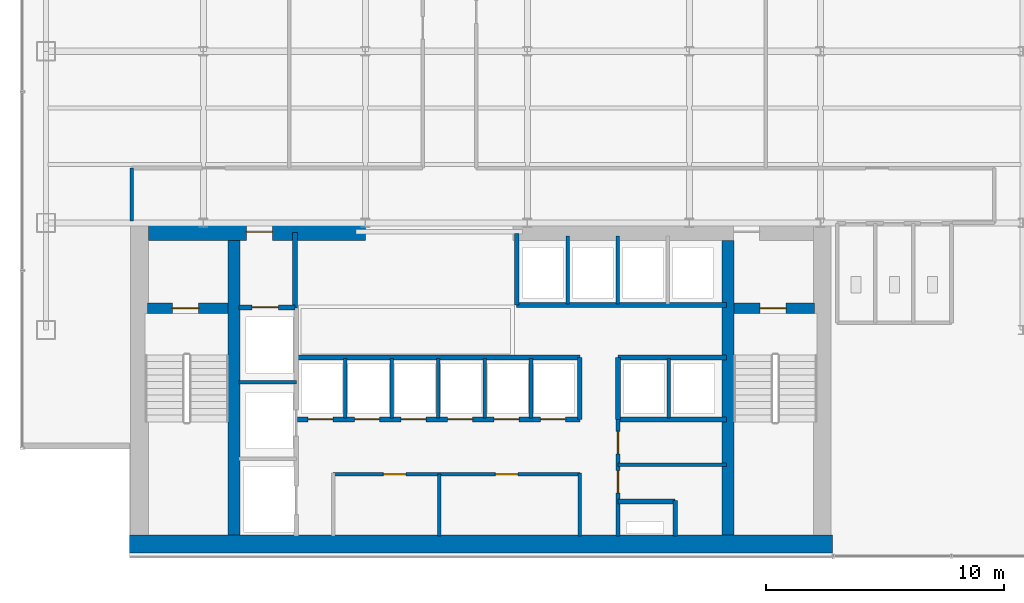
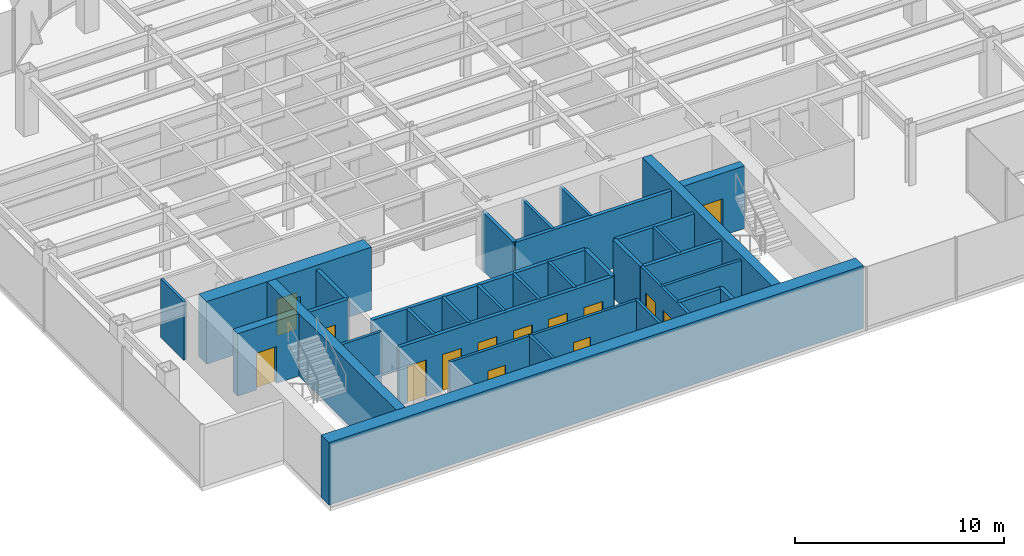
# One storey, part 21 of 26: 33 walls, 14 doors, 14 openings.
"""IFC4 building model written with IfcOpenShell, lengths in metres."""

from ifc_helpers import new_model, si_unit, derived_unit, direction, frame, frame_2d, origin, place, context, subcontext, project, spatial, rectangle, extrude, source, transform, mapped, material, layer, layer_set, type_object, element, fill, save


model = new_model("IFC4")

# Units and contexts
model_context = context("Model", 3, precision=1e-05, world=origin(), true_north=direction((0.0, 1.0)))
body_context = subcontext(model_context, "Body", "Model", "MODEL_VIEW")
ifc_project = project(units=[si_unit("LENGTHUNIT", "METRE"), si_unit("AREAUNIT", "SQUARE_METRE"), si_unit("VOLUMEUNIT", "CUBIC_METRE"), si_unit("PLANEANGLEUNIT", "RADIAN"), si_unit("MASSUNIT", "GRAM", prefix="KILO"), derived_unit("THERMALTRANSMITTANCEUNIT", [(si_unit("POWERUNIT", "WATT"), 1), (si_unit("LENGTHUNIT", "METRE"), -2), (si_unit("THERMODYNAMICTEMPERATUREUNIT", "KELVIN"), -1)])], contexts=[model_context])

# Site, building, storey
site_placement = place(None, origin())
site = spatial("IfcSite", under=ifc_project, at=site_placement, CompositionType="ELEMENT")
building_placement = place(site_placement, origin())
building = spatial("IfcBuilding", under=site, at=building_placement, Name="Skarnbrae Concourse Arena and Tower", CompositionType="ELEMENT")
storey_placement = place(building_placement, frame((0.0, 0.0, 110.550048828125)))
storey = spatial("IfcBuildingStorey", under=building, at=storey_placement, Name="L27", CompositionType="ELEMENT", Elevation=110.550048828125)

# Wall, opening, door
ifc_material_1 = material(Name="Concrete 50 MPa (C50/60)", Category="concrete")
ifc_layer_1 = layer(ifc_material_1, 0.449951171875)
ifc_layer_set_1 = layer_set([ifc_layer_1], Name="Concrete 50 MPa (C50/60)")
wall_type_1 = type_object("IfcWallType", Name="WALL-CORE-450-C50", PredefinedType="SHEAR", material=ifc_layer_set_1)
shared_shape_1 = source(origin(), body_context, "Body", "SweptSolid", [
    extrude(rectangle(XDim=3.389892578125, YDim=0.449951171875, at=frame_2d((1.69482421875, 0.0))), origin(), (0.0, 0.0, 1.0), 3.64990234375),
])
wall_1_placement = place(storey_placement, frame((5.25, 10.419921875, 0.0), z_axis=(0.0, 0.0, 1.0), x_axis=(1.0, 0.0, 0.0)))
wall_1 = element("IfcWall", 1, at=wall_1_placement, inside=storey, type_object=wall_type_1, Name="L27 Rear core shear wall CW-ST1-N", PredefinedType="SHEAR", context=body_context, shape_type="MappedRepresentation", body=[
    mapped(shared_shape_1, transform((0.0, 0.0, 0.0))),
])
opening_1_placement = place(wall_1_placement, frame((1.050048828125, 0.0, 0.0)))
opening_1 = element("IfcOpeningElement", 2, at=opening_1_placement, cuts=wall_1, Name="Opening DT-03", PredefinedType="OPENING", context=body_context, shape_type="SweptSolid", body=[
    extrude(rectangle(XDim=1.10009765625, YDim=2.14990234375, at=frame_2d((0.550048828125, 1.074951171875))), frame((0.0, 0.23486328125, 0.0), z_axis=(0.0, -1.0, 0.0), x_axis=(1.0, 0.0, 0.0)), (0.0, 0.0, 1.0), 0.469970703125),
])
ifc_material_2 = material(Name="Steel CSA G40.21 350W", Category="steel")
door_type_1 = type_object("IfcDoorType", Name="DOOR-FIRE-1100-90M", OperationType="NOTDEFINED", PredefinedType="DOOR", material=ifc_material_2)
shared_shape_2 = source(origin(), body_context, "Body", "SweptSolid", [
    extrude(rectangle(XDim=1.10009765625, YDim=2.14990234375, at=frame_2d((0.550048828125, 1.074951171875))), frame((0.0, 0.02490234375, 0.0), z_axis=(0.0, -1.0, 0.0), x_axis=(1.0, 0.0, 0.0)), (0.0, 0.0, 1.0), 0.050048828125),
])
door_1_placement = place(opening_1_placement, frame((1.10009765625, 0.0, 0.0), z_axis=(0.0, 0.0, 1.0), x_axis=(-1.0, 0.0, 0.0)))
door_1 = element("IfcDoor", 3, at=door_1_placement, inside=storey, type_object=door_type_1, Name="D-0894 Stair ST-1 Door", OperationType="SINGLE_SWING_LEFT", OverallHeight=2.14990234375, OverallWidth=1.10009765625, PredefinedType="DOOR", context=body_context, shape_type="MappedRepresentation", body=[
    mapped(shared_shape_2, transform((0.0, 0.0, 0.0))),
])
fill(opening_1, door_1)

wall_2_placement = place(storey_placement, frame((29.860107421875, 10.419921875, 0.0), z_axis=(0.0, 0.0, 1.0), x_axis=(1.0, 0.0, 0.0)))
wall_2 = element("IfcWall", 4, at=wall_2_placement, inside=storey, type_object=wall_type_1, Name="L27 Rear core shear wall CW-ST2-N", PredefinedType="SHEAR", context=body_context, shape_type="MappedRepresentation", body=[
    mapped(shared_shape_1, transform((0.0, 0.0, 0.0))),
])
opening_2_placement = place(wall_2_placement, frame((1.10009765625, 0.0, 0.0)))
opening_2 = element("IfcOpeningElement", 5, at=opening_2_placement, cuts=wall_2, Name="Opening DT-03", PredefinedType="OPENING", context=body_context, shape_type="SweptSolid", body=[
    extrude(rectangle(XDim=1.10009765625, YDim=2.14990234375, at=frame_2d((0.550048828125, 1.074951171875))), frame((0.0, 0.23486328125, 0.0), z_axis=(0.0, -1.0, 0.0), x_axis=(1.0, 0.0, 0.0)), (0.0, 0.0, 1.0), 0.469970703125),
])
door_2_placement = place(opening_2_placement, frame((1.10009765625, 0.0, 0.0), z_axis=(0.0, 0.0, 1.0), x_axis=(-1.0, 0.0, 0.0)))
door_2 = element("IfcDoor", 6, at=door_2_placement, inside=storey, type_object=door_type_1, Name="D-0895 Stair ST-2 Door", OperationType="SINGLE_SWING_RIGHT", OverallHeight=2.14990234375, OverallWidth=1.10009765625, PredefinedType="DOOR", context=body_context, shape_type="MappedRepresentation", body=[
    mapped(shared_shape_2, transform((0.0, 0.0, 0.0))),
])
fill(opening_2, door_2)

# Wall
ifc_material_3 = material(Name="Concrete 60 MPa (C60/75)", Category="concrete")
ifc_layer_2 = layer(ifc_material_3, 0.75)
ifc_layer_set_2 = layer_set([ifc_layer_2], Name="Concrete 60 MPa (C60/75)")
wall_type_2 = type_object("IfcWallType", Name="WALL-CORE-750-C60", PredefinedType="SHEAR", material=ifc_layer_set_2)
shared_shape_3 = source(origin(), body_context, "Body", "SweptSolid", [
    extrude(rectangle(XDim=29.5, YDim=0.75, at=frame_2d((14.75, 0.0))), origin(), (0.0, 0.0, 1.0), 3.64990234375),
])
wall_3_placement = place(storey_placement, frame((4.5, 0.52490234375, 0.0), z_axis=(0.0, 0.0, 1.0), x_axis=(1.0, 0.0, 0.0)))
element("IfcWall", 7, at=wall_3_placement, inside=storey, type_object=wall_type_2, Name="L27 Rear core shear wall CW-S", PredefinedType="SHEAR", context=body_context, shape_type="MappedRepresentation", body=[
    mapped(shared_shape_3, transform((0.0, 0.0, 0.0))),
])

# Wall, opening, door
shared_shape_4 = source(origin(), body_context, "Body", "SweptSolid", [
    extrude(rectangle(XDim=9.099853515625, YDim=0.75, at=frame_2d((4.5498046875, 0.0))), origin(), (0.0, 0.0, 1.0), 3.64990234375),
])
wall_4_placement = place(storey_placement, frame((5.300048828125, 13.625, 0.0), z_axis=(0.0, 0.0, 1.0), x_axis=(1.0, 0.0, 0.0)))
wall_4 = element("IfcWall", 8, at=wall_4_placement, inside=storey, type_object=wall_type_2, Name="L27 Rear core shear wall CW-NW", PredefinedType="SHEAR", context=body_context, shape_type="MappedRepresentation", body=[
    mapped(shared_shape_4, transform((0.0, 0.0, 0.0))),
])
opening_3_placement = place(wall_4_placement, frame((4.10009765625, 0.0, 0.0)))
opening_3 = element("IfcOpeningElement", 9, at=opening_3_placement, cuts=wall_4, Name="Opening DT-03", PredefinedType="OPENING", context=body_context, shape_type="SweptSolid", body=[
    extrude(rectangle(XDim=1.10009765625, YDim=2.14990234375, at=frame_2d((0.550048828125, 1.074951171875))), frame((0.0, 0.385009765625, 0.0), z_axis=(0.0, -1.0, 0.0), x_axis=(1.0, 0.0, 0.0)), (0.0, 0.0, 1.0), 0.77001953125),
])
door_3_placement = place(opening_3_placement, origin())
door_3 = element("IfcDoor", 10, at=door_3_placement, inside=storey, type_object=door_type_1, Name="D-0896 Firefighting Lobby Exit Door", OperationType="SINGLE_SWING_RIGHT", OverallHeight=2.14990234375, OverallWidth=1.10009765625, PredefinedType="DOOR", context=body_context, shape_type="MappedRepresentation", body=[
    mapped(shared_shape_2, transform((0.0, 0.0, 0.0))),
])
fill(opening_3, door_3)

# Walls
ifc_layer_3 = layer(ifc_material_3, 0.5)
ifc_layer_set_3 = layer_set([ifc_layer_3], Name="Concrete 60 MPa (C60/75)")
wall_type_3 = type_object("IfcWallType", Name="WALL-CORE-500-C60", PredefinedType="SHEAR", material=ifc_layer_set_3)
shared_shape_5 = source(origin(), body_context, "Body", "SweptSolid", [
    extrude(rectangle(XDim=12.35009765625, YDim=0.5, at=frame_2d((6.175048828125, 0.0))), origin(), (0.0, 0.0, 1.0), 3.64990234375),
])
for number, where, z_axis, x_axis, name in (
    (11, (8.889892578125, 0.89990234375, 0.0), (0.0, 0.0, 1.0), (0.0, 1.0, 0.0), "L27 Rear core shear wall CW-WEB-W"),
    (12, (29.610107421875, 0.89990234375, 0.0), (0.0, 0.0, 1.0), (0.0, 1.0, 0.0), "L27 Rear core shear wall CW-WEB-E"),
):
    element("IfcWall", number, at=place(storey_placement, frame(where, z_axis=z_axis, x_axis=x_axis)), inside=storey, type_object=wall_type_3, Name=name, PredefinedType="SHEAR", context=body_context, shape_type="MappedRepresentation", body=[
        mapped(shared_shape_5, transform((0.0, 0.0, 0.0))),
    ])
ifc_material_4 = material(Name="Gypsum board on cold-formed steel studs", Category="steel")
ifc_layer_4 = layer(ifc_material_4, 0.199951171875)
ifc_layer_set_4 = layer_set([ifc_layer_4], Name="Gypsum board on cold-formed steel studs")
wall_type_4 = type_object("IfcWallType", Name="WALL-PART-200-2HR", PredefinedType="PARTITIONING", material=ifc_layer_set_4)
shared_shape_6 = source(origin(), body_context, "Body", "SweptSolid", [
    extrude(rectangle(XDim=3.18017578125, YDim=0.199951171875, at=frame_2d((1.590087890625, 0.0))), origin(), (0.0, 0.0, 1.0), 3.39990234375),
])
wall_5_placement = place(storey_placement, frame((11.449951171875, 10.419921875, 0.0), z_axis=(0.0, 0.0, 1.0), x_axis=(0.0, 1.0, 0.0)))
element("IfcWall", 13, at=wall_5_placement, inside=storey, type_object=wall_type_4, Name="L27 Interior partition wall W-L27-FFL-E", PredefinedType="PARTITIONING", context=body_context, shape_type="MappedRepresentation", body=[
    mapped(shared_shape_6, transform((0.0, 0.0, 0.0))),
])

# Wall, opening, door
shared_shape_7 = source(origin(), body_context, "Body", "SweptSolid", [
    extrude(rectangle(XDim=2.349853515625, YDim=0.199951171875, at=frame_2d((1.1748046875, 0.0))), origin(), (0.0, 0.0, 1.0), 3.39990234375),
])
wall_6_placement = place(storey_placement, frame((9.10009765625, 10.449951171875, 0.0), z_axis=(0.0, 0.0, 1.0), x_axis=(1.0, 0.0, 0.0)))
wall_6 = element("IfcWall", 14, at=wall_6_placement, inside=storey, type_object=wall_type_4, Name="L27 Interior partition wall W-L27-FL1-N", PredefinedType="PARTITIONING", context=body_context, shape_type="MappedRepresentation", body=[
    mapped(shared_shape_7, transform((0.0, 0.0, 0.0))),
])
opening_4_placement = place(wall_6_placement, frame((0.550048828125, 0.0, 0.0)))
opening_4 = element("IfcOpeningElement", 15, at=opening_4_placement, cuts=wall_6, Name="Opening LD-01", PredefinedType="OPENING", context=body_context, shape_type="SweptSolid", body=[
    extrude(rectangle(XDim=1.10009765625, YDim=2.14990234375, at=frame_2d((0.550048828125, 1.074951171875))), frame((0.0, 0.10986328125, 0.0), z_axis=(0.0, -1.0, 0.0), x_axis=(1.0, 0.0, 0.0)), (0.0, 0.0, 1.0), 0.219970703125),
])
door_type_2 = type_object("IfcDoorType", Name="DOOR-LIFT-SLIDE-1100", OperationType="SLIDING_TO_LEFT", PredefinedType="DOOR", material=ifc_material_2)
door_4_placement = place(opening_4_placement, origin())
door_4 = element("IfcDoor", 16, at=door_4_placement, inside=storey, type_object=door_type_2, Name="D-0898 Firefighting Lift Landing Door FL-01", OperationType="SLIDING_TO_LEFT", OverallHeight=2.14990234375, OverallWidth=1.10009765625, PredefinedType="DOOR", context=body_context, shape_type="MappedRepresentation", body=[
    mapped(shared_shape_2, transform((0.0, 0.0, 0.0))),
])
fill(opening_4, door_4)

# Walls
ifc_layer_5 = layer(ifc_material_4, 0.14990234375)
ifc_layer_set_5 = layer_set([ifc_layer_5], Name="Gypsum board on cold-formed steel studs")
wall_type_5 = type_object("IfcWallType", Name="WALL-PART-150", PredefinedType="PARTITIONING", material=ifc_layer_set_5)
shared_shape_8 = source(origin(), body_context, "Body", "SweptSolid", [
    extrude(rectangle(XDim=2.39990234375, YDim=0.14990234375, at=frame_2d((1.199951171875, 0.0))), origin(), (0.0, 0.0, 1.0), 3.39990234375),
])
wall_7_placement = place(storey_placement, frame((9.10009765625, 7.300048828125, 0.0), z_axis=(0.0, 0.0, 1.0), x_axis=(1.0, 0.0, 0.0)))
element("IfcWall", 17, at=wall_7_placement, inside=storey, type_object=wall_type_5, Name="L27 Interior partition wall W-L27-FL-D2", PredefinedType="PARTITIONING", context=body_context, shape_type="MappedRepresentation", body=[
    mapped(shared_shape_8, transform((0.0, 0.0, 0.0))),
])
shared_shape_9 = source(origin(), body_context, "Body", "SweptSolid", [
    extrude(rectangle(XDim=2.599853515625, YDim=0.14990234375, at=frame_2d((1.2998046875, 0.0))), origin(), (0.0, 0.0, 1.0), 3.39990234375),
])
wall_8_placement = place(storey_placement, frame((17.5, 0.85009765625, 0.0), z_axis=(0.0, 0.0, 1.0), x_axis=(0.0, 1.0, 0.0)))
element("IfcWall", 18, at=wall_8_placement, inside=storey, type_object=wall_type_5, Name="L27 Interior partition wall W-L27-B1M-C1", PredefinedType="PARTITIONING", context=body_context, shape_type="MappedRepresentation", body=[
    mapped(shared_shape_9, transform((0.0, 0.0, 0.0))),
])

# Wall, openings, doors
shared_shape_10 = source(origin(), body_context, "Body", "SweptSolid", [
    extrude(rectangle(XDim=11.849853515625, YDim=0.199951171875, at=frame_2d((5.9248046875, 0.0))), origin(), (0.0, 0.0, 1.0), 3.39990234375),
])
wall_9_placement = place(storey_placement, frame((11.550048828125, 5.75, 0.0), z_axis=(0.0, 0.0, 1.0), x_axis=(1.0, 0.0, 0.0)))
wall_9 = element("IfcWall", 19, at=wall_9_placement, inside=storey, type_object=wall_type_4, Name="L27 Interior partition wall W-L27-B2-S", PredefinedType="PARTITIONING", context=body_context, shape_type="MappedRepresentation", body=[
    mapped(shared_shape_10, transform((0.0, 0.0, 0.0))),
])
opening_5_placement = place(wall_9_placement, frame((0.449951171875, 0.0, 0.0)))
opening_5 = element("IfcOpeningElement", 20, at=opening_5_placement, cuts=wall_9, Name="Opening LD-03", PredefinedType="OPENING", context=body_context, shape_type="SweptSolid", body=[
    extrude(rectangle(XDim=1.050048828125, YDim=2.14990234375, at=frame_2d((0.52490234375, 1.074951171875))), frame((0.0, 0.10986328125, 0.0), z_axis=(0.0, -1.0, 0.0), x_axis=(1.0, 0.0, 0.0)), (0.0, 0.0, 1.0), 0.219970703125),
])
opening_6_placement = place(wall_9_placement, frame((2.39990234375, 0.0, 0.0)))
opening_6 = element("IfcOpeningElement", 21, at=opening_6_placement, cuts=wall_9, Name="Opening LD-03", PredefinedType="OPENING", context=body_context, shape_type="SweptSolid", body=[
    extrude(rectangle(XDim=1.050048828125, YDim=2.14990234375, at=frame_2d((0.52490234375, 1.074951171875))), frame((0.0, 0.10986328125, 0.0), z_axis=(0.0, -1.0, 0.0), x_axis=(1.0, 0.0, 0.0)), (0.0, 0.0, 1.0), 0.219970703125),
])
opening_7_placement = place(wall_9_placement, frame((4.35009765625, 0.0, 0.0)))
opening_7 = element("IfcOpeningElement", 22, at=opening_7_placement, cuts=wall_9, Name="Opening LD-03", PredefinedType="OPENING", context=body_context, shape_type="SweptSolid", body=[
    extrude(rectangle(XDim=1.050048828125, YDim=2.14990234375, at=frame_2d((0.52490234375, 1.074951171875))), frame((0.0, 0.10986328125, 0.0), z_axis=(0.0, -1.0, 0.0), x_axis=(1.0, 0.0, 0.0)), (0.0, 0.0, 1.0), 0.219970703125),
])
opening_8_placement = place(wall_9_placement, frame((6.300048828125, 0.0, 0.0)))
opening_8 = element("IfcOpeningElement", 23, at=opening_8_placement, cuts=wall_9, Name="Opening LD-03", PredefinedType="OPENING", context=body_context, shape_type="SweptSolid", body=[
    extrude(rectangle(XDim=1.050048828125, YDim=2.14990234375, at=frame_2d((0.52490234375, 1.074951171875))), frame((0.0, 0.10986328125, 0.0), z_axis=(0.0, -1.0, 0.0), x_axis=(1.0, 0.0, 0.0)), (0.0, 0.0, 1.0), 0.219970703125),
])
opening_9_placement = place(wall_9_placement, frame((8.25, 0.0, 0.0)))
opening_9 = element("IfcOpeningElement", 24, at=opening_9_placement, cuts=wall_9, Name="Opening LD-03", PredefinedType="OPENING", context=body_context, shape_type="SweptSolid", body=[
    extrude(rectangle(XDim=1.050048828125, YDim=2.14990234375, at=frame_2d((0.52490234375, 1.074951171875))), frame((0.0, 0.10986328125, 0.0), z_axis=(0.0, -1.0, 0.0), x_axis=(1.0, 0.0, 0.0)), (0.0, 0.0, 1.0), 0.219970703125),
])
opening_10_placement = place(wall_9_placement, frame((10.199951171875, 0.0, 0.0)))
opening_10 = element("IfcOpeningElement", 25, at=opening_10_placement, cuts=wall_9, Name="Opening LD-03", PredefinedType="OPENING", context=body_context, shape_type="SweptSolid", body=[
    extrude(rectangle(XDim=1.050048828125, YDim=2.14990234375, at=frame_2d((0.52490234375, 1.074951171875))), frame((0.0, 0.10986328125, 0.0), z_axis=(0.0, -1.0, 0.0), x_axis=(1.0, 0.0, 0.0)), (0.0, 0.0, 1.0), 0.219970703125),
])
ifc_material_5 = material(Name="Bronze anodised aluminium 6063-T6", Category="aluminium")
door_type_3 = type_object("IfcDoorType", Name="DOOR-LIFT-SLIDE-1050", OperationType="SLIDING_TO_LEFT", PredefinedType="DOOR", material=ifc_material_5)
shared_shape_11 = source(origin(), body_context, "Body", "SweptSolid", [
    extrude(rectangle(XDim=1.050048828125, YDim=2.14990234375, at=frame_2d((0.52490234375, 1.074951171875))), frame((0.0, 0.02490234375, 0.0), z_axis=(0.0, -1.0, 0.0), x_axis=(1.0, 0.0, 0.0)), (0.0, 0.0, 1.0), 0.050048828125),
])
door_5_placement = place(opening_5_placement, frame((1.050048828125, 0.0, 0.0), z_axis=(0.0, 0.0, 1.0), x_axis=(-1.0, 0.0, 0.0)))
door_5 = element("IfcDoor", 26, at=door_5_placement, inside=storey, type_object=door_type_3, Name="D-0903 Passenger Lift Landing Door PL-2A", OperationType="SLIDING_TO_LEFT", OverallHeight=2.14990234375, OverallWidth=1.050048828125, PredefinedType="DOOR", context=body_context, shape_type="MappedRepresentation", body=[
    mapped(shared_shape_11, transform((0.0, 0.0, 0.0))),
])
fill(opening_5, door_5)
door_6_placement = place(opening_6_placement, frame((1.050048828125, 0.0, 0.0), z_axis=(0.0, 0.0, 1.0), x_axis=(-1.0, 0.0, 0.0)))
door_6 = element("IfcDoor", 27, at=door_6_placement, inside=storey, type_object=door_type_3, Name="D-0904 Passenger Lift Landing Door PL-2B", OperationType="SLIDING_TO_LEFT", OverallHeight=2.14990234375, OverallWidth=1.050048828125, PredefinedType="DOOR", context=body_context, shape_type="MappedRepresentation", body=[
    mapped(shared_shape_11, transform((0.0, 0.0, 0.0))),
])
fill(opening_6, door_6)
door_7_placement = place(opening_7_placement, frame((1.050048828125, 0.0, 0.0), z_axis=(0.0, 0.0, 1.0), x_axis=(-1.0, 0.0, 0.0)))
door_7 = element("IfcDoor", 28, at=door_7_placement, inside=storey, type_object=door_type_3, Name="D-0905 Passenger Lift Landing Door PL-2C", OperationType="SLIDING_TO_LEFT", OverallHeight=2.14990234375, OverallWidth=1.050048828125, PredefinedType="DOOR", context=body_context, shape_type="MappedRepresentation", body=[
    mapped(shared_shape_11, transform((0.0, 0.0, 0.0))),
])
fill(opening_7, door_7)
door_8_placement = place(opening_8_placement, frame((1.050048828125, 0.0, 0.0), z_axis=(0.0, 0.0, 1.0), x_axis=(-1.0, 0.0, 0.0)))
door_8 = element("IfcDoor", 29, at=door_8_placement, inside=storey, type_object=door_type_3, Name="D-0906 Passenger Lift Landing Door PL-2D", OperationType="SLIDING_TO_LEFT", OverallHeight=2.14990234375, OverallWidth=1.050048828125, PredefinedType="DOOR", context=body_context, shape_type="MappedRepresentation", body=[
    mapped(shared_shape_11, transform((0.0, 0.0, 0.0))),
])
fill(opening_8, door_8)
door_9_placement = place(opening_9_placement, frame((1.050048828125, 0.0, 0.0), z_axis=(0.0, 0.0, 1.0), x_axis=(-1.0, 0.0, 0.0)))
door_9 = element("IfcDoor", 30, at=door_9_placement, inside=storey, type_object=door_type_3, Name="D-0907 Passenger Lift Landing Door PL-2E", OperationType="SLIDING_TO_LEFT", OverallHeight=2.14990234375, OverallWidth=1.050048828125, PredefinedType="DOOR", context=body_context, shape_type="MappedRepresentation", body=[
    mapped(shared_shape_11, transform((0.0, 0.0, 0.0))),
])
fill(opening_9, door_9)
door_10_placement = place(opening_10_placement, frame((1.050048828125, 0.0, 0.0), z_axis=(0.0, 0.0, 1.0), x_axis=(-1.0, 0.0, 0.0)))
door_10 = element("IfcDoor", 31, at=door_10_placement, inside=storey, type_object=door_type_3, Name="D-0908 Passenger Lift Landing Door PL-2F", OperationType="SLIDING_TO_LEFT", OverallHeight=2.14990234375, OverallWidth=1.050048828125, PredefinedType="DOOR", context=body_context, shape_type="MappedRepresentation", body=[
    mapped(shared_shape_11, transform((0.0, 0.0, 0.0))),
])
fill(opening_10, door_10)

# Walls
wall_10_placement = place(storey_placement, frame((11.550048828125, 8.35009765625, 0.0), z_axis=(0.0, 0.0, 1.0), x_axis=(1.0, 0.0, 0.0)))
element("IfcWall", 32, at=wall_10_placement, inside=storey, type_object=wall_type_4, Name="L27 Interior partition wall W-L27-B2-N", PredefinedType="PARTITIONING", context=body_context, shape_type="MappedRepresentation", body=[
    mapped(shared_shape_10, transform((0.0, 0.0, 0.0))),
])
shared_shape_12 = source(origin(), body_context, "Body", "SweptSolid", [
    extrude(rectangle(XDim=2.60009765625, YDim=0.199951171875, at=frame_2d((1.300048828125, 0.0))), origin(), (0.0, 0.0, 1.0), 3.39990234375),
])
for number, where, z_axis, x_axis, name in (
    (33, (23.39990234375, 5.75, 0.0), (0.0, 0.0, 1.0), (0.0, 1.0, 0.0), "L27 Interior partition wall W-L27-B2-E"),
    (34, (25.0, 5.75, 0.0), (0.0, 0.0, 1.0), (0.0, 1.0, 0.0), "L27 Interior partition wall W-L27-B3S-W"),
):
    element("IfcWall", number, at=place(storey_placement, frame(where, z_axis=z_axis, x_axis=x_axis)), inside=storey, type_object=wall_type_4, Name=name, PredefinedType="PARTITIONING", context=body_context, shape_type="MappedRepresentation", body=[
        mapped(shared_shape_12, transform((0.0, 0.0, 0.0))),
    ])
shared_shape_13 = source(origin(), body_context, "Body", "SweptSolid", [
    extrude(rectangle(XDim=2.5, YDim=0.14990234375, at=frame_2d((1.25, 0.0))), origin(), (0.0, 0.0, 1.0), 3.39990234375),
])
for number, where, z_axis, x_axis, name in (
    (35, (13.550048828125, 5.800048828125, 0.0), (0.0, 0.0, 1.0), (0.0, 1.0, 0.0), "L27 Interior partition wall W-L27-B2-P1"),
    (36, (15.5, 5.800048828125, 0.0), (0.0, 0.0, 1.0), (0.0, 1.0, 0.0), "L27 Interior partition wall W-L27-B2-P2"),
    (37, (17.449951171875, 5.800048828125, 0.0), (0.0, 0.0, 1.0), (0.0, 1.0, 0.0), "L27 Interior partition wall W-L27-B2-P3"),
    (38, (19.39990234375, 5.800048828125, 0.0), (0.0, 0.0, 1.0), (0.0, 1.0, 0.0), "L27 Interior partition wall W-L27-B2-P4"),
    (39, (21.35009765625, 5.800048828125, 0.0), (0.0, 0.0, 1.0), (0.0, 1.0, 0.0), "L27 Interior partition wall W-L27-B2-P5"),
    (40, (27.139892578125, 5.800048828125, 0.0), (0.0, 0.0, 1.0), (0.0, 1.0, 0.0), "L27 Interior partition wall W-L27-B3S-P1"),
):
    element("IfcWall", number, at=place(storey_placement, frame(where, z_axis=z_axis, x_axis=x_axis)), inside=storey, type_object=wall_type_5, Name=name, PredefinedType="PARTITIONING", context=body_context, shape_type="MappedRepresentation", body=[
        mapped(shared_shape_13, transform((0.0, 0.0, 0.0))),
    ])
shared_shape_14 = source(origin(), body_context, "Body", "SweptSolid", [
    extrude(rectangle(XDim=8.800048828125, YDim=0.199951171875, at=frame_2d((4.39990234375, 0.0))), origin(), (0.0, 0.0, 1.0), 3.39990234375),
])
wall_11_placement = place(storey_placement, frame((20.75, 10.550048828125, 0.0), z_axis=(0.0, 0.0, 1.0), x_axis=(1.0, 0.0, 0.0)))
element("IfcWall", 41, at=wall_11_placement, inside=storey, type_object=wall_type_4, Name="L27 Interior partition wall W-L27-B3N-S", PredefinedType="PARTITIONING", context=body_context, shape_type="MappedRepresentation", body=[
    mapped(shared_shape_14, transform((0.0, 0.0, 0.0))),
])
shared_shape_15 = source(origin(), body_context, "Body", "SweptSolid", [
    extrude(rectangle(XDim=3.0, YDim=0.199951171875, at=frame_2d((1.5, 0.0))), origin(), (0.0, 0.0, 1.0), 3.39990234375),
])
wall_12_placement = place(storey_placement, frame((20.75, 10.550048828125, 0.0), z_axis=(0.0, 0.0, 1.0), x_axis=(0.0, 1.0, 0.0)))
element("IfcWall", 42, at=wall_12_placement, inside=storey, type_object=wall_type_4, Name="L27 Interior partition wall W-L27-B3N-W", PredefinedType="PARTITIONING", context=body_context, shape_type="MappedRepresentation", body=[
    mapped(shared_shape_15, transform((0.0, 0.0, 0.0))),
])
shared_shape_16 = source(origin(), body_context, "Body", "SweptSolid", [
    extrude(rectangle(XDim=2.849853515625, YDim=0.14990234375, at=frame_2d((1.4248046875, 0.0))), origin(), (0.0, 0.0, 1.0), 3.39990234375),
])
for number, where, z_axis, x_axis, name in (
    (43, (22.889892578125, 10.60009765625, 0.0), (0.0, 0.0, 1.0), (0.0, 1.0, 0.0), "L27 Interior partition wall W-L27-B3N-P1"),
    (44, (24.989990234375, 10.60009765625, 0.0), (0.0, 0.0, 1.0), (0.0, 1.0, 0.0), "L27 Interior partition wall W-L27-B3N-P2"),
):
    element("IfcWall", number, at=place(storey_placement, frame(where, z_axis=z_axis, x_axis=x_axis)), inside=storey, type_object=wall_type_5, Name=name, PredefinedType="PARTITIONING", context=body_context, shape_type="MappedRepresentation", body=[
        mapped(shared_shape_16, transform((0.0, 0.0, 0.0))),
    ])
shared_shape_17 = source(origin(), body_context, "Body", "SweptSolid", [
    extrude(rectangle(XDim=4.550048828125, YDim=0.199951171875, at=frame_2d((2.27490234375, 0.0))), origin(), (0.0, 0.0, 1.0), 3.39990234375),
])
for number, where, z_axis, x_axis, name in (
    (45, (25.0, 8.35009765625, 0.0), (0.0, 0.0, 1.0), (1.0, 0.0, 0.0), "L27 Interior partition wall W-L27-B3S-N"),
    (46, (25.0, 5.75, 0.0), (0.0, 0.0, 1.0), (1.0, 0.0, 0.0), "L27 Interior partition wall W-L27-B3S-S"),
):
    element("IfcWall", number, at=place(storey_placement, frame(where, z_axis=z_axis, x_axis=x_axis)), inside=storey, type_object=wall_type_4, Name=name, PredefinedType="PARTITIONING", context=body_context, shape_type="MappedRepresentation", body=[
        mapped(shared_shape_17, transform((0.0, 0.0, 0.0))),
    ])

# Wall, openings, doors
ifc_layer_6 = layer(ifc_material_4, 0.14990234375)
ifc_layer_set_6 = layer_set([ifc_layer_6], Name="Gypsum board on cold-formed steel studs")
wall_type_6 = type_object("IfcWallType", Name="WALL-PART-150-1HR", PredefinedType="PARTITIONING", material=ifc_layer_set_6)
shared_shape_18 = source(origin(), body_context, "Body", "SweptSolid", [
    extrude(rectangle(XDim=4.89990234375, YDim=0.14990234375, at=frame_2d((2.449951171875, 0.0))), origin(), (0.0, 0.0, 1.0), 3.39990234375),
])
wall_13_placement = place(storey_placement, frame((25.0, 0.85009765625, 0.0), z_axis=(0.0, 0.0, 1.0), x_axis=(0.0, 1.0, 0.0)))
wall_13 = element("IfcWall", 47, at=wall_13_placement, inside=storey, type_object=wall_type_6, Name="L27 Interior partition wall W-L27-CSV-W", PredefinedType="PARTITIONING", context=body_context, shape_type="MappedRepresentation", body=[
    mapped(shared_shape_18, transform((0.0, 0.0, 0.0))),
])
opening_11_placement = place(wall_13_placement, frame((1.800048828125, 0.0, 0.0)))
opening_11 = element("IfcOpeningElement", 48, at=opening_11_placement, cuts=wall_13, Name="Opening DT-04", PredefinedType="OPENING", context=body_context, shape_type="SweptSolid", body=[
    extrude(rectangle(XDim=0.949951171875, YDim=2.14990234375, at=frame_2d((0.47509765625, 1.074951171875))), frame((0.0, 0.0849609375, 0.0), z_axis=(0.0, -1.0, 0.0), x_axis=(1.0, 0.0, 0.0)), (0.0, 0.0, 1.0), 0.169921875),
])
opening_12_placement = place(wall_13_placement, frame((3.449951171875, 0.0, 0.0)))
opening_12 = element("IfcOpeningElement", 49, at=opening_12_placement, cuts=wall_13, Name="Opening DT-04", PredefinedType="OPENING", context=body_context, shape_type="SweptSolid", body=[
    extrude(rectangle(XDim=0.949951171875, YDim=2.14990234375, at=frame_2d((0.47509765625, 1.074951171875))), frame((0.0, 0.0849609375, 0.0), z_axis=(0.0, -1.0, 0.0), x_axis=(1.0, 0.0, 0.0)), (0.0, 0.0, 1.0), 0.169921875),
])
door_type_4 = type_object("IfcDoorType", Name="DOOR-INT-950-45M", OperationType="NOTDEFINED", PredefinedType="DOOR", material=ifc_material_2)
shared_shape_19 = source(origin(), body_context, "Body", "SweptSolid", [
    extrude(rectangle(XDim=0.949951171875, YDim=2.14990234375, at=frame_2d((0.47509765625, 1.074951171875))), frame((0.0, 0.02490234375, 0.0), z_axis=(0.0, -1.0, 0.0), x_axis=(1.0, 0.0, 0.0)), (0.0, 0.0, 1.0), 0.050048828125),
])
door_11_placement = place(opening_11_placement, origin())
door_11 = element("IfcDoor", 50, at=door_11_placement, inside=storey, type_object=door_type_4, Name="D-0909 Electrical Switch Room Door", OperationType="SINGLE_SWING_LEFT", OverallHeight=2.14990234375, OverallWidth=0.949951171875, PredefinedType="DOOR", context=body_context, shape_type="MappedRepresentation", body=[
    mapped(shared_shape_19, transform((0.0, 0.0, 0.0))),
])
fill(opening_11, door_11)
door_12_placement = place(opening_12_placement, origin())
door_12 = element("IfcDoor", 51, at=door_12_placement, inside=storey, type_object=door_type_4, Name="D-0910 Cleaner Store Door", OperationType="SINGLE_SWING_RIGHT", OverallHeight=2.14990234375, OverallWidth=0.949951171875, PredefinedType="DOOR", context=body_context, shape_type="MappedRepresentation", body=[
    mapped(shared_shape_19, transform((0.0, 0.0, 0.0))),
])
fill(opening_12, door_12)

# Walls
shared_shape_20 = source(origin(), body_context, "Body", "SweptSolid", [
    extrude(rectangle(XDim=2.39990234375, YDim=0.199951171875, at=frame_2d((1.199951171875, 0.0))), origin(), (0.0, 0.0, 1.0), 3.39990234375),
])
wall_14_placement = place(storey_placement, frame((25.0, 2.300048828125, 0.0), z_axis=(0.0, 0.0, 1.0), x_axis=(1.0, 0.0, 0.0)))
element("IfcWall", 52, at=wall_14_placement, inside=storey, type_object=wall_type_4, Name="L27 Interior partition wall W-L27-MEP-N", PredefinedType="PARTITIONING", context=body_context, shape_type="MappedRepresentation", body=[
    mapped(shared_shape_20, transform((0.0, 0.0, 0.0))),
])
shared_shape_21 = source(origin(), body_context, "Body", "SweptSolid", [
    extrude(rectangle(XDim=1.5, YDim=0.199951171875, at=frame_2d((0.75, 0.0))), origin(), (0.0, 0.0, 1.0), 3.39990234375),
])
wall_15_placement = place(storey_placement, frame((27.39990234375, 0.85009765625, 0.0), z_axis=(0.0, 0.0, 1.0), x_axis=(0.0, 1.0, 0.0)))
element("IfcWall", 53, at=wall_15_placement, inside=storey, type_object=wall_type_4, Name="L27 Interior partition wall W-L27-MEP-E", PredefinedType="PARTITIONING", context=body_context, shape_type="MappedRepresentation", body=[
    mapped(shared_shape_21, transform((0.0, 0.0, 0.0))),
])
shared_shape_22 = source(origin(), body_context, "Body", "SweptSolid", [
    extrude(rectangle(XDim=4.550048828125, YDim=0.14990234375, at=frame_2d((2.27490234375, 0.0))), origin(), (0.0, 0.0, 1.0), 3.39990234375),
])
wall_16_placement = place(storey_placement, frame((25.0, 3.85009765625, 0.0), z_axis=(0.0, 0.0, 1.0), x_axis=(1.0, 0.0, 0.0)))
element("IfcWall", 54, at=wall_16_placement, inside=storey, type_object=wall_type_5, Name="L27 Interior partition wall W-L27-CSV-H", PredefinedType="PARTITIONING", context=body_context, shape_type="MappedRepresentation", body=[
    mapped(shared_shape_22, transform((0.0, 0.0, 0.0))),
])
shared_shape_23 = source(origin(), body_context, "Body", "SweptSolid", [
    extrude(rectangle(XDim=2.64990234375, YDim=0.14990234375, at=frame_2d((1.324951171875, 0.0))), origin(), (0.0, 0.0, 1.0), 3.39990234375),
])
wall_17_placement = place(storey_placement, frame((23.39990234375, 0.85009765625, 0.0), z_axis=(0.0, 0.0, 1.0), x_axis=(0.0, 1.0, 0.0)))
element("IfcWall", 55, at=wall_17_placement, inside=storey, type_object=wall_type_6, Name="L27 Interior partition wall W-L27-B1M-E", PredefinedType="PARTITIONING", context=body_context, shape_type="MappedRepresentation", body=[
    mapped(shared_shape_23, transform((0.0, 0.0, 0.0))),
])

# Wall, openings, doors
shared_shape_24 = source(origin(), body_context, "Body", "SweptSolid", [
    extrude(rectangle(XDim=10.349853515625, YDim=0.14990234375, at=frame_2d((5.1748046875, 0.0))), origin(), (0.0, 0.0, 1.0), 3.39990234375),
])
wall_18_placement = place(storey_placement, frame((13.050048828125, 3.449951171875, 0.0), z_axis=(0.0, 0.0, 1.0), x_axis=(1.0, 0.0, 0.0)))
wall_18 = element("IfcWall", 56, at=wall_18_placement, inside=storey, type_object=wall_type_6, Name="L27 Interior partition wall W-L27-B1M-N", PredefinedType="PARTITIONING", context=body_context, shape_type="MappedRepresentation", body=[
    mapped(shared_shape_24, transform((0.0, 0.0, 0.0))),
])
opening_13_placement = place(wall_18_placement, frame((2.10009765625, 0.0, 0.0)))
opening_13 = element("IfcOpeningElement", 57, at=opening_13_placement, cuts=wall_18, Name="Opening DT-04", PredefinedType="OPENING", context=body_context, shape_type="SweptSolid", body=[
    extrude(rectangle(XDim=0.949951171875, YDim=2.14990234375, at=frame_2d((0.47509765625, 1.074951171875))), frame((0.0, 0.0849609375, 0.0), z_axis=(0.0, -1.0, 0.0), x_axis=(1.0, 0.0, 0.0)), (0.0, 0.0, 1.0), 0.169921875),
])
opening_14_placement = place(wall_18_placement, frame((6.800048828125, 0.0, 0.0)))
opening_14 = element("IfcOpeningElement", 58, at=opening_14_placement, cuts=wall_18, Name="Opening DT-04", PredefinedType="OPENING", context=body_context, shape_type="SweptSolid", body=[
    extrude(rectangle(XDim=0.949951171875, YDim=2.14990234375, at=frame_2d((0.47509765625, 1.074951171875))), frame((0.0, 0.0849609375, 0.0), z_axis=(0.0, -1.0, 0.0), x_axis=(1.0, 0.0, 0.0)), (0.0, 0.0, 1.0), 0.169921875),
])
door_13_placement = place(opening_13_placement, origin())
door_13 = element("IfcDoor", 59, at=door_13_placement, inside=storey, type_object=door_type_4, Name="D-0901 Core IT Room Door", OperationType="SINGLE_SWING_LEFT", OverallHeight=2.14990234375, OverallWidth=0.949951171875, PredefinedType="DOOR", context=body_context, shape_type="MappedRepresentation", body=[
    mapped(shared_shape_19, transform((0.0, 0.0, 0.0))),
])
fill(opening_13, door_13)
door_14_placement = place(opening_14_placement, origin())
door_14 = element("IfcDoor", 60, at=door_14_placement, inside=storey, type_object=door_type_4, Name="D-0902 Core Records Store Door", OperationType="SINGLE_SWING_RIGHT", OverallHeight=2.14990234375, OverallWidth=0.949951171875, PredefinedType="DOOR", context=body_context, shape_type="MappedRepresentation", body=[
    mapped(shared_shape_19, transform((0.0, 0.0, 0.0))),
])
fill(opening_14, door_14)

# Wall
shared_shape_25 = source(origin(), body_context, "Body", "SweptSolid", [
    extrude(rectangle(XDim=2.219970703125, YDim=0.14990234375, at=frame_2d((1.10986328125, 0.0))), origin(), (0.0, 0.0, 1.0), 3.39990234375),
])
wall_19_placement = place(storey_placement, frame((4.60009765625, 14.080078125, 0.0), z_axis=(0.0, 0.0, 1.0), x_axis=(0.0, 1.0, 0.0)))
element("IfcWall", 61, at=wall_19_placement, inside=storey, type_object=wall_type_6, Name="L27 Interior partition wall W-L27-COR-01", PredefinedType="PARTITIONING", context=body_context, shape_type="MappedRepresentation", body=[
    mapped(shared_shape_25, transform((0.0, 0.0, 0.0))),
])

save(model, "model.ifc")
